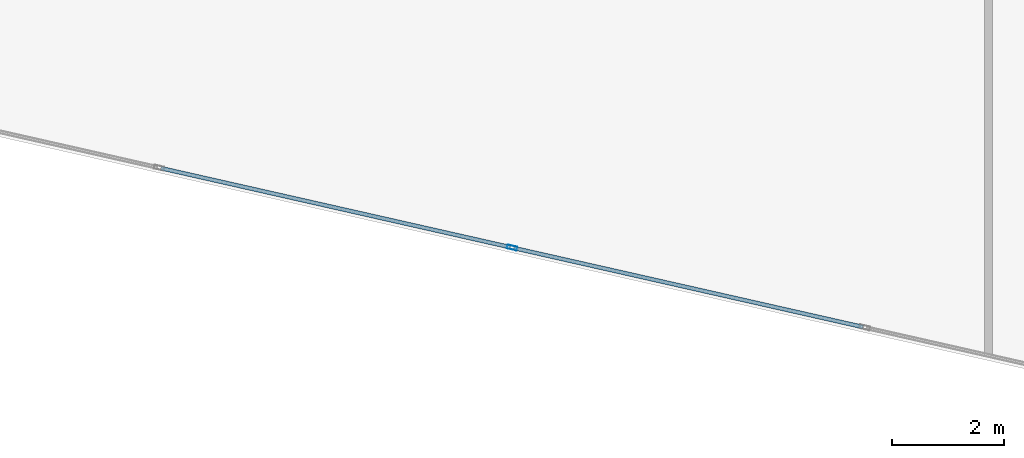
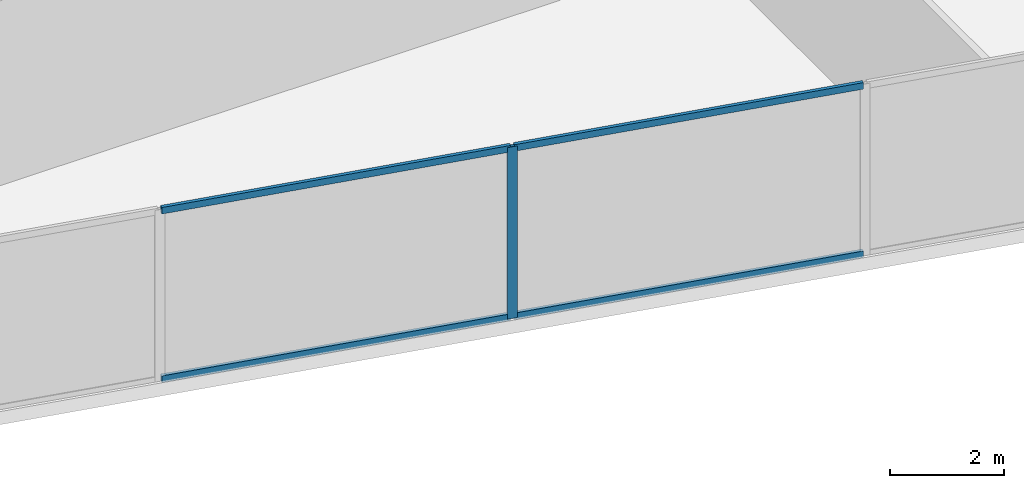
# One storey, part 5 of 26: 5 members, 1 element without a shape of its own.
"""IFC4 building model written with IfcOpenShell, lengths in metres."""

import ifcopenshell
import ifcopenshell.guid

model = None  # the IFC model being written
_history = None  # IfcOwnerHistory: only IFC2X3 demands one
_inside = {}  # id of a spatial element -> (the spatial element, [elements in it])
_under = {}  # id of a project, library or spatial element -> (it, [spatial elements below it])
_declared = {}  # id of a project -> (the project, [libraries it declares])
_typed = {}  # id of a type object -> (the type object, [elements of that type])
_made_of = {}  # id of a material, layer set ... -> (it, [elements and type objects made of it])


def new_model(schema):
    """Start an empty IFC model of exactly this schema.

    Asked for "IFC4X3", IfcOpenShell would pick the latest addendum, in which some entities
    have other attributes; the version numbers below select the first issue.
    IFC2X3 requires an IfcOwnerHistory on every rooted entity: one is made here for all.
    """
    global model, _history
    if schema == "IFC4X3":
        model = ifcopenshell.file(schema_version=(4, 3, 0, 0))
    else:
        model = ifcopenshell.file(schema=schema)
    _inside.clear()
    _under.clear()
    _declared.clear()
    _typed.clear()
    _made_of.clear()
    _history = None
    if model.schema == "IFC2X3":
        org = make("IfcOrganization", Name="unknown")
        user = make(
            "IfcPersonAndOrganization",
            ThePerson=make("IfcPerson", FamilyName="unknown"),
            TheOrganization=org,
        )
        app = make(
            "IfcApplication",
            ApplicationDeveloper=org,
            Version="unknown",
            ApplicationFullName="unknown",
            ApplicationIdentifier="unknown",
        )
        _history = make(
            "IfcOwnerHistory",
            OwningUser=user,
            OwningApplication=app,
            ChangeAction="ADDED",
            CreationDate=0,
        )
    return model


def make(cls, **values):
    """One entity of the class cls with the attributes given. An attribute that is None is left unset."""
    return model.create_entity(
        cls, **{name: value for name, value in values.items() if value is not None}
    )


def rooted(cls, **values):
    """An entity with a GlobalId (a new one), such as an element, a storey or a relation."""
    return make(cls, GlobalId=ifcopenshell.guid.new(), OwnerHistory=_history, **values)


def si_unit(unit_type, name, prefix=None):
    """IfcSIUnit, for example si_unit("LENGTHUNIT", "METRE", prefix="MILLI")."""
    return make("IfcSIUnit", UnitType=unit_type, Prefix=prefix, Name=name)


def assignment(units):
    """IfcUnitAssignment: the units of a project."""
    return None if units is None else make("IfcUnitAssignment", Units=units)


def point(xyz):
    """IfcCartesianPoint."""
    return None if xyz is None else make("IfcCartesianPoint", Coordinates=xyz)


def direction(xyz):
    """IfcDirection."""
    return None if xyz is None else make("IfcDirection", DirectionRatios=xyz)


def frame(location, z_axis=None, x_axis=None):
    """IfcAxis2Placement3D, a coordinate frame: its origin and axes. An axis left out is left unset."""
    return make(
        "IfcAxis2Placement3D",
        Location=point(location),
        Axis=direction(z_axis),
        RefDirection=direction(x_axis),
    )


def frame_2d(location, x_axis=None):
    """IfcAxis2Placement2D, a coordinate frame in the plane: its origin and x axis."""
    return make(
        "IfcAxis2Placement2D", Location=point(location), RefDirection=direction(x_axis)
    )


def origin():
    """The frame at (0, 0, 0) with its axes left unset."""
    return frame((0.0, 0.0, 0.0))


def origin_2d():
    """The frame at (0, 0) in the plane with its x axis left unset."""
    return frame_2d((0.0, 0.0))


def place(relative_to, where):
    """IfcLocalPlacement: puts the frame where relative to a parent placement (None: the world)."""
    return make(
        "IfcLocalPlacement", PlacementRelTo=relative_to, RelativePlacement=where
    )


def context(
    kind, dimensions, precision=None, world=None, true_north=None, identifier=None
):
    """IfcGeometricRepresentationContext, for example the 3D "Model" context."""
    return make(
        "IfcGeometricRepresentationContext",
        ContextIdentifier=identifier,
        ContextType=kind,
        CoordinateSpaceDimension=dimensions,
        Precision=precision,
        WorldCoordinateSystem=world,
        TrueNorth=true_north,
    )


def subcontext(parent, identifier, kind, view, scale=None):
    """IfcGeometricRepresentationSubContext, for example "Body" below "Model"."""
    return make(
        "IfcGeometricRepresentationSubContext",
        ContextIdentifier=identifier,
        ContextType=kind,
        ParentContext=parent,
        TargetScale=scale,
        TargetView=view,
    )


def project(units=None, contexts=None):
    """IfcProject with its units and contexts."""
    return rooted(
        "IfcProject",
        Name="project",
        RepresentationContexts=contexts,
        UnitsInContext=assignment(units),
    )


def spatial(cls, under=None, at=None, **own):
    """A site, building, storey or space (cls), placed at a placement, below another one or the project."""
    s = rooted(cls, ObjectPlacement=at, **own)
    if under is not None:
        _under.setdefault(under.id(), (under, []))[1].append(s)
    return s


def profile(cls, at=None, kind="AREA", **sizes):
    """A parametric profile (cls). Its sizes go by their IFC names, for example OverallWidth=200.0."""
    return make(cls, ProfileType=kind, Position=at, **sizes)


def hollow_rectangle(**sizes):
    """IfcRectangleHollowProfileDef."""
    return profile("IfcRectangleHollowProfileDef", **sizes)


def extrude(swept, where, along, depth):
    """IfcExtrudedAreaSolid: the profile swept, set in the frame where, extruded along a direction by depth."""
    return make(
        "IfcExtrudedAreaSolid",
        SweptArea=swept,
        Position=where,
        ExtrudedDirection=direction(along),
        Depth=depth,
    )


def shape(context_of_items, identifier, shape_type, items):
    """IfcShapeRepresentation: the items that make up one representation, for example the "Body"."""
    return make(
        "IfcShapeRepresentation",
        ContextOfItems=context_of_items,
        RepresentationIdentifier=identifier,
        RepresentationType=shape_type,
        Items=items,
    )


def source(mapping_origin, context_of_items, identifier, shape_type, items):
    """IfcRepresentationMap: a shape defined once, which mapped items show again and again."""
    return make(
        "IfcRepresentationMap",
        MappingOrigin=mapping_origin,
        MappedRepresentation=shape(context_of_items, identifier, shape_type, items),
    )


def transform(
    local_origin,
    x_axis=None,
    y_axis=None,
    z_axis=None,
    scale=None,
    scale2=None,
    scale3=None,
    uniform=True,
):
    """IfcCartesianTransformationOperator3D, or its non-uniform kind. x_axis, y_axis, z_axis: its Axis1, 2, 3."""
    if uniform:
        return make(
            "IfcCartesianTransformationOperator3D",
            Axis1=direction(x_axis),
            Axis2=direction(y_axis),
            LocalOrigin=point(local_origin),
            Scale=scale,
            Axis3=direction(z_axis),
        )
    return make(
        "IfcCartesianTransformationOperator3DnonUniform",
        Axis1=direction(x_axis),
        Axis2=direction(y_axis),
        LocalOrigin=point(local_origin),
        Scale=scale,
        Axis3=direction(z_axis),
        Scale2=scale2,
        Scale3=scale3,
    )


def mapped(mapping_source, mapping_target):
    """IfcMappedItem: shows the shape of a source again, moved by a transform."""
    return make(
        "IfcMappedItem", MappingSource=mapping_source, MappingTarget=mapping_target
    )


def material(Name=None, Category=None):
    """IfcMaterial."""
    return make("IfcMaterial", Name=Name, Category=Category)


def material_profile(
    of_material, cross_section, Name=None, Category=None, Priority=None
):
    """IfcMaterialProfile: a cross section and its material."""
    return make(
        "IfcMaterialProfile",
        Name=Name,
        Material=of_material,
        Profile=cross_section,
        Priority=Priority,
        Category=Category,
    )


def profile_set(profiles, Name=None, composite=None):
    """IfcMaterialProfileSet."""
    return make(
        "IfcMaterialProfileSet",
        Name=Name,
        MaterialProfiles=profiles,
        CompositeProfile=composite,
    )


def made_of(thing, what):
    """Note that an element or type object is made of a material, layer set ...; save() writes the relation."""
    if what is not None:
        _made_of.setdefault(what.id(), (what, []))[1].append(thing)
    return thing


def type_object(cls, material=None, **own):
    """A type object (cls), such as IfcWallType, which elements share."""
    return made_of(rooted(cls, **own), material)


def type_shapes(of_type, sources):
    """Give a type object the sources (RepresentationMaps) that its elements show as mapped items."""
    of_type.RepresentationMaps = sources


def element(
    cls,
    number,
    at=None,
    inside=None,
    cuts=None,
    type_object=None,
    material=None,
    context=None,
    identifier="Body",
    shape_type=None,
    held_by="IfcProductDefinitionShape",
    body=None,
    shapes=None,
    **own,
):
    """One element of the class cls, such as IfcWall. Its Tag is "e" and its number.

    at: its placement. inside: the storey or other place that contains it. cuts: it is an
    opening in that element (IfcRelVoidsElement). A single representation is given by context,
    identifier, shape_type and body (its items); several are given by shapes. held_by: the class
    of the entity that holds the representations. save() writes the other relations.
    """
    e = rooted(cls, Tag="e%d" % number, ObjectPlacement=at, **own)
    if body is not None:
        shapes = [shape(context, identifier, shape_type, body)]
    if shapes is not None:
        e.Representation = make(held_by, Representations=shapes)
    if inside is not None:
        _inside.setdefault(inside.id(), (inside, []))[1].append(e)
    if cuts is not None:
        rooted(
            "IfcRelVoidsElement", RelatingBuildingElement=cuts, RelatedOpeningElement=e
        )
    if type_object is not None:
        _typed.setdefault(type_object.id(), (type_object, []))[1].append(e)
    return made_of(e, material)


def aggregate(whole, parts):
    """IfcRelAggregates: a whole, such as a stair, and the parts it consists of."""
    return rooted("IfcRelAggregates", RelatingObject=whole, RelatedObjects=parts)


def save(model, path):
    """Write the relations noted so far, then the file.

    IfcRelAggregates (storeys below a building ...), IfcRelContainedInSpatialStructure (elements
    in a storey), IfcRelDefinesByType, IfcRelAssociatesMaterial and IfcRelDeclares: one each for
    every whole, place, type object, material and project.
    """
    for whole, parts in _under.values():
        aggregate(whole, parts)
    for where, things in _inside.values():
        rooted(
            "IfcRelContainedInSpatialStructure",
            RelatedElements=things,
            RelatingStructure=where,
        )
    for kind, things in _typed.values():
        rooted("IfcRelDefinesByType", RelatedObjects=things, RelatingType=kind)
    for what, things in _made_of.values():
        rooted("IfcRelAssociatesMaterial", RelatedObjects=things, RelatingMaterial=what)
    for by, libraries in _declared.values():
        rooted("IfcRelDeclares", RelatingContext=by, RelatedDefinitions=libraries)
    model.write(path)


model = new_model("IFC4")

# Units and contexts
model_context = context("Model", 3, precision=1e-05, world=origin(), true_north=direction((0.0, 1.0)))
body_context = subcontext(model_context, "Body", "Model", "MODEL_VIEW")
ifc_project = project(units=[si_unit("LENGTHUNIT", "METRE"), si_unit("AREAUNIT", "SQUARE_METRE"), si_unit("VOLUMEUNIT", "CUBIC_METRE"), si_unit("PLANEANGLEUNIT", "RADIAN"), si_unit("MASSUNIT", "GRAM", prefix="KILO")], contexts=[model_context])

# Site, building, storey
site_placement = place(None, origin())
site = spatial("IfcSite", under=ifc_project, at=site_placement, CompositionType="ELEMENT")
building_placement = place(site_placement, origin())
building = spatial("IfcBuilding", under=site, at=building_placement, Name="Krantzveldt Concourse Tower", CompositionType="ELEMENT")
storey_placement = place(building_placement, frame((0.0, 0.0, 90.050048828125)))
storey = spatial("IfcBuildingStorey", under=building, at=storey_placement, Name="L21", CompositionType="ELEMENT", Elevation=90.050048828125)

# Curtain wall, members
ifc_material = material(Name="Anodised aluminium 6063-T6", Category="aluminium")
curtain_wall_type = type_object("IfcCurtainWallType", Name="CW2", PredefinedType="USERDEFINED", material=ifc_material)
curtain_wall_placement = place(storey_placement, origin())
curtain_wall = element("IfcCurtainWall", 1, at=curtain_wall_placement, inside=storey, type_object=curtain_wall_type, Name="CW-L21-F04", ObjectType="UNITISED CURTAIN WALL", PredefinedType="USERDEFINED")
ifc_material_profile_1 = material_profile(ifc_material, hollow_rectangle(XDim=0.070068359375, YDim=0.179931640625, WallThickness=0.0048828125, at=origin_2d()), Name="Anodised aluminium 6063-T6", Category="aluminium")
ifc_profile_set_1 = profile_set([ifc_material_profile_1], Name="Anodised aluminium 6063-T6 - ALU-MULL 180x70x5")
member_type_1 = type_object("IfcMemberType", Name="CW-MUL-180", PredefinedType="MULLION", material=ifc_profile_set_1)
shared_shape_1 = source(origin(), body_context, "Body", "SweptSolid", [
    extrude(hollow_rectangle(XDim=0.070068359375, YDim=0.179931640625, WallThickness=0.0048828125, at=origin_2d()), origin(), (0.0, 0.0, 1.0), 3.669921875),
])
type_shapes(member_type_1, [shared_shape_1])
member_1_placement = place(storey_placement, frame((37.162841796875, 2.53759765625, 0.0), z_axis=(0.0, 0.0, 1.0), x_axis=(0.220697434579, 0.975342320609, 0.0)))
member_1 = element("IfcMember", 2, at=member_1_placement, type_object=member_type_1, Name="CW-Z12 mullion 5", PredefinedType="MULLION", context=body_context, shape_type="MappedRepresentation", body=[
    mapped(shared_shape_1, transform((0.0, 0.0, 0.0), x_axis=(1.0, 0.0, 0.0), y_axis=(0.0, 1.0, 0.0), z_axis=(0.0, 0.0, 1.0), scale=1.0)),
])
ifc_material_profile_2 = material_profile(ifc_material, hollow_rectangle(XDim=0.070068359375, YDim=0.139892578125, WallThickness=0.0048828125, at=origin_2d()), Name="Anodised aluminium 6063-T6", Category="aluminium")
ifc_profile_set_2 = profile_set([ifc_material_profile_2], Name="Anodised aluminium 6063-T6 - ALU-TRAN 140x70x5")
member_type_2 = type_object("IfcMemberType", Name="CW-TRN-150", PredefinedType="USERDEFINED", material=ifc_profile_set_2)
shared_shape_2 = source(origin(), body_context, "Body", "SweptSolid", [
    extrude(hollow_rectangle(XDim=0.070068359375, YDim=0.139892578125, WallThickness=0.0048828125, at=origin_2d()), origin(), (0.0, 0.0, 1.0), 6.396728515625),
])
type_shapes(member_type_2, [shared_shape_2])
member_2_placement = place(storey_placement, frame((30.8896484375, 3.95703125, 0.034912109375), z_axis=(0.975346478519, -0.220679058454, 0.0), x_axis=(0.220679058454, 0.975346478519, 0.0)))
member_2 = element("IfcMember", 3, at=member_2_placement, type_object=member_type_2, Name="CW-Z12 transom 4.1", ObjectType="TRANSOM", PredefinedType="USERDEFINED", context=body_context, shape_type="MappedRepresentation", body=[
    mapped(shared_shape_2, transform((0.0, 0.0, 0.0), x_axis=(1.0, 0.0, 0.0), y_axis=(0.0, 1.0, 0.0), z_axis=(0.0, 0.0, 1.0), scale=1.0)),
])
member_3_placement = place(storey_placement, frame((30.8896484375, 3.95703125, 3.635009765625), z_axis=(0.975346478519, -0.220679058454, 0.0), x_axis=(0.220679058454, 0.975346478519, 0.0)))
member_3 = element("IfcMember", 4, at=member_3_placement, type_object=member_type_2, Name="CW-Z12 transom 4.2", ObjectType="TRANSOM", PredefinedType="USERDEFINED", context=body_context, shape_type="MappedRepresentation", body=[
    mapped(shared_shape_2, transform((0.0, 0.0, 0.0), x_axis=(1.0, 0.0, 0.0), y_axis=(0.0, 1.0, 0.0), z_axis=(0.0, 0.0, 1.0), scale=1.0)),
])
member_4_placement = place(storey_placement, frame((37.19677734375, 2.52978515625, 0.034912109375), z_axis=(0.975346478519, -0.220679058454, 0.0), x_axis=(0.220679058454, 0.975346478519, 0.0)))
member_4 = element("IfcMember", 5, at=member_4_placement, type_object=member_type_2, Name="CW-Z12 transom 5.1", ObjectType="TRANSOM", PredefinedType="USERDEFINED", context=body_context, shape_type="MappedRepresentation", body=[
    mapped(shared_shape_2, transform((0.0, 0.0, 0.0), x_axis=(1.0, 0.0, 0.0), y_axis=(0.0, 1.0, 0.0), z_axis=(0.0, 0.0, 1.0), scale=1.0)),
])
member_5_placement = place(storey_placement, frame((37.19677734375, 2.52978515625, 3.635009765625), z_axis=(0.975346478519, -0.220679058454, 0.0), x_axis=(0.220679058454, 0.975346478519, 0.0)))
member_5 = element("IfcMember", 6, at=member_5_placement, type_object=member_type_2, Name="CW-Z12 transom 5.2", ObjectType="TRANSOM", PredefinedType="USERDEFINED", context=body_context, shape_type="MappedRepresentation", body=[
    mapped(shared_shape_2, transform((0.0, 0.0, 0.0), x_axis=(1.0, 0.0, 0.0), y_axis=(0.0, 1.0, 0.0), z_axis=(0.0, 0.0, 1.0), scale=1.0)),
])
aggregate(curtain_wall, [member_1, member_2, member_3, member_4, member_5])

save(model, "model.ifc")
